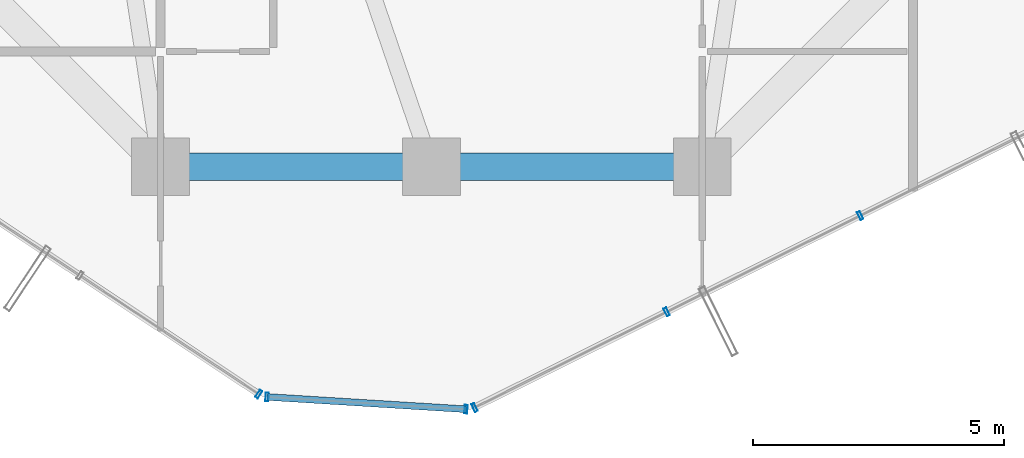
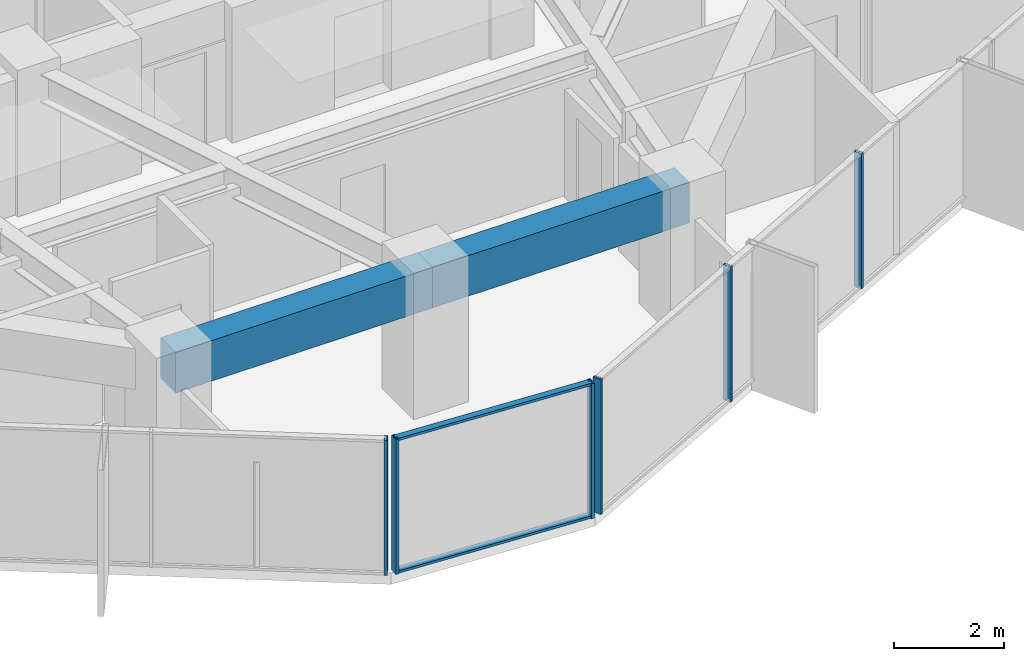
# One storey, part 6 of 30: 8 members, 2 beams, 3 elements without a shape of their own.
"""IFC4 building model written with IfcOpenShell, lengths in metres."""

import ifcopenshell
import ifcopenshell.guid

model = None  # the IFC model being written
_history = None  # IfcOwnerHistory: only IFC2X3 demands one
_inside = {}  # id of a spatial element -> (the spatial element, [elements in it])
_under = {}  # id of a project, library or spatial element -> (it, [spatial elements below it])
_declared = {}  # id of a project -> (the project, [libraries it declares])
_typed = {}  # id of a type object -> (the type object, [elements of that type])
_made_of = {}  # id of a material, layer set ... -> (it, [elements and type objects made of it])


def new_model(schema):
    """Start an empty IFC model of exactly this schema.

    Asked for "IFC4X3", IfcOpenShell would pick the latest addendum, in which some entities
    have other attributes; the version numbers below select the first issue.
    IFC2X3 requires an IfcOwnerHistory on every rooted entity: one is made here for all.
    """
    global model, _history
    if schema == "IFC4X3":
        model = ifcopenshell.file(schema_version=(4, 3, 0, 0))
    else:
        model = ifcopenshell.file(schema=schema)
    _inside.clear()
    _under.clear()
    _declared.clear()
    _typed.clear()
    _made_of.clear()
    _history = None
    if model.schema == "IFC2X3":
        org = make("IfcOrganization", Name="unknown")
        user = make(
            "IfcPersonAndOrganization",
            ThePerson=make("IfcPerson", FamilyName="unknown"),
            TheOrganization=org,
        )
        app = make(
            "IfcApplication",
            ApplicationDeveloper=org,
            Version="unknown",
            ApplicationFullName="unknown",
            ApplicationIdentifier="unknown",
        )
        _history = make(
            "IfcOwnerHistory",
            OwningUser=user,
            OwningApplication=app,
            ChangeAction="ADDED",
            CreationDate=0,
        )
    return model


def make(cls, **values):
    """One entity of the class cls with the attributes given. An attribute that is None is left unset."""
    return model.create_entity(
        cls, **{name: value for name, value in values.items() if value is not None}
    )


def rooted(cls, **values):
    """An entity with a GlobalId (a new one), such as an element, a storey or a relation."""
    return make(cls, GlobalId=ifcopenshell.guid.new(), OwnerHistory=_history, **values)


def si_unit(unit_type, name, prefix=None):
    """IfcSIUnit, for example si_unit("LENGTHUNIT", "METRE", prefix="MILLI")."""
    return make("IfcSIUnit", UnitType=unit_type, Prefix=prefix, Name=name)


def assignment(units):
    """IfcUnitAssignment: the units of a project."""
    return None if units is None else make("IfcUnitAssignment", Units=units)


def point(xyz):
    """IfcCartesianPoint."""
    return None if xyz is None else make("IfcCartesianPoint", Coordinates=xyz)


def direction(xyz):
    """IfcDirection."""
    return None if xyz is None else make("IfcDirection", DirectionRatios=xyz)


def frame(location, z_axis=None, x_axis=None):
    """IfcAxis2Placement3D, a coordinate frame: its origin and axes. An axis left out is left unset."""
    return make(
        "IfcAxis2Placement3D",
        Location=point(location),
        Axis=direction(z_axis),
        RefDirection=direction(x_axis),
    )


def frame_2d(location, x_axis=None):
    """IfcAxis2Placement2D, a coordinate frame in the plane: its origin and x axis."""
    return make(
        "IfcAxis2Placement2D", Location=point(location), RefDirection=direction(x_axis)
    )


def origin():
    """The frame at (0, 0, 0) with its axes left unset."""
    return frame((0.0, 0.0, 0.0))


def origin_2d():
    """The frame at (0, 0) in the plane with its x axis left unset."""
    return frame_2d((0.0, 0.0))


def place(relative_to, where):
    """IfcLocalPlacement: puts the frame where relative to a parent placement (None: the world)."""
    return make(
        "IfcLocalPlacement", PlacementRelTo=relative_to, RelativePlacement=where
    )


def context(
    kind, dimensions, precision=None, world=None, true_north=None, identifier=None
):
    """IfcGeometricRepresentationContext, for example the 3D "Model" context."""
    return make(
        "IfcGeometricRepresentationContext",
        ContextIdentifier=identifier,
        ContextType=kind,
        CoordinateSpaceDimension=dimensions,
        Precision=precision,
        WorldCoordinateSystem=world,
        TrueNorth=true_north,
    )


def subcontext(parent, identifier, kind, view, scale=None):
    """IfcGeometricRepresentationSubContext, for example "Body" below "Model"."""
    return make(
        "IfcGeometricRepresentationSubContext",
        ContextIdentifier=identifier,
        ContextType=kind,
        ParentContext=parent,
        TargetScale=scale,
        TargetView=view,
    )


def project(units=None, contexts=None):
    """IfcProject with its units and contexts."""
    return rooted(
        "IfcProject",
        Name="project",
        RepresentationContexts=contexts,
        UnitsInContext=assignment(units),
    )


def spatial(cls, under=None, at=None, **own):
    """A site, building, storey or space (cls), placed at a placement, below another one or the project."""
    s = rooted(cls, ObjectPlacement=at, **own)
    if under is not None:
        _under.setdefault(under.id(), (under, []))[1].append(s)
    return s


def profile(cls, at=None, kind="AREA", **sizes):
    """A parametric profile (cls). Its sizes go by their IFC names, for example OverallWidth=200.0."""
    return make(cls, ProfileType=kind, Position=at, **sizes)


def rectangle(**sizes):
    """IfcRectangleProfileDef."""
    return profile("IfcRectangleProfileDef", **sizes)


def hollow_rectangle(**sizes):
    """IfcRectangleHollowProfileDef."""
    return profile("IfcRectangleHollowProfileDef", **sizes)


def extrude(swept, where, along, depth):
    """IfcExtrudedAreaSolid: the profile swept, set in the frame where, extruded along a direction by depth."""
    return make(
        "IfcExtrudedAreaSolid",
        SweptArea=swept,
        Position=where,
        ExtrudedDirection=direction(along),
        Depth=depth,
    )


def shape(context_of_items, identifier, shape_type, items):
    """IfcShapeRepresentation: the items that make up one representation, for example the "Body"."""
    return make(
        "IfcShapeRepresentation",
        ContextOfItems=context_of_items,
        RepresentationIdentifier=identifier,
        RepresentationType=shape_type,
        Items=items,
    )


def source(mapping_origin, context_of_items, identifier, shape_type, items):
    """IfcRepresentationMap: a shape defined once, which mapped items show again and again."""
    return make(
        "IfcRepresentationMap",
        MappingOrigin=mapping_origin,
        MappedRepresentation=shape(context_of_items, identifier, shape_type, items),
    )


def transform(
    local_origin,
    x_axis=None,
    y_axis=None,
    z_axis=None,
    scale=None,
    scale2=None,
    scale3=None,
    uniform=True,
):
    """IfcCartesianTransformationOperator3D, or its non-uniform kind. x_axis, y_axis, z_axis: its Axis1, 2, 3."""
    if uniform:
        return make(
            "IfcCartesianTransformationOperator3D",
            Axis1=direction(x_axis),
            Axis2=direction(y_axis),
            LocalOrigin=point(local_origin),
            Scale=scale,
            Axis3=direction(z_axis),
        )
    return make(
        "IfcCartesianTransformationOperator3DnonUniform",
        Axis1=direction(x_axis),
        Axis2=direction(y_axis),
        LocalOrigin=point(local_origin),
        Scale=scale,
        Axis3=direction(z_axis),
        Scale2=scale2,
        Scale3=scale3,
    )


def mapped(mapping_source, mapping_target):
    """IfcMappedItem: shows the shape of a source again, moved by a transform."""
    return make(
        "IfcMappedItem", MappingSource=mapping_source, MappingTarget=mapping_target
    )


def material(Name=None, Category=None):
    """IfcMaterial."""
    return make("IfcMaterial", Name=Name, Category=Category)


def layer(
    of_material, thickness, ventilated=None, Name=None, Category=None, Priority=None
):
    """IfcMaterialLayer: one layer of a wall or slab, of a material (None: an air gap)."""
    return make(
        "IfcMaterialLayer",
        Material=of_material,
        LayerThickness=thickness,
        IsVentilated=ventilated,
        Name=Name,
        Category=Category,
        Priority=Priority,
    )


def layer_set(layers, Name=None):
    """IfcMaterialLayerSet."""
    return make("IfcMaterialLayerSet", MaterialLayers=layers, LayerSetName=Name)


def material_profile(
    of_material, cross_section, Name=None, Category=None, Priority=None
):
    """IfcMaterialProfile: a cross section and its material."""
    return make(
        "IfcMaterialProfile",
        Name=Name,
        Material=of_material,
        Profile=cross_section,
        Priority=Priority,
        Category=Category,
    )


def profile_set(profiles, Name=None, composite=None):
    """IfcMaterialProfileSet."""
    return make(
        "IfcMaterialProfileSet",
        Name=Name,
        MaterialProfiles=profiles,
        CompositeProfile=composite,
    )


def made_of(thing, what):
    """Note that an element or type object is made of a material, layer set ...; save() writes the relation."""
    if what is not None:
        _made_of.setdefault(what.id(), (what, []))[1].append(thing)
    return thing


def type_object(cls, material=None, **own):
    """A type object (cls), such as IfcWallType, which elements share."""
    return made_of(rooted(cls, **own), material)


def element(
    cls,
    number,
    at=None,
    inside=None,
    cuts=None,
    type_object=None,
    material=None,
    context=None,
    identifier="Body",
    shape_type=None,
    held_by="IfcProductDefinitionShape",
    body=None,
    shapes=None,
    **own,
):
    """One element of the class cls, such as IfcWall. Its Tag is "e" and its number.

    at: its placement. inside: the storey or other place that contains it. cuts: it is an
    opening in that element (IfcRelVoidsElement). A single representation is given by context,
    identifier, shape_type and body (its items); several are given by shapes. held_by: the class
    of the entity that holds the representations. save() writes the other relations.
    """
    e = rooted(cls, Tag="e%d" % number, ObjectPlacement=at, **own)
    if body is not None:
        shapes = [shape(context, identifier, shape_type, body)]
    if shapes is not None:
        e.Representation = make(held_by, Representations=shapes)
    if inside is not None:
        _inside.setdefault(inside.id(), (inside, []))[1].append(e)
    if cuts is not None:
        rooted(
            "IfcRelVoidsElement", RelatingBuildingElement=cuts, RelatedOpeningElement=e
        )
    if type_object is not None:
        _typed.setdefault(type_object.id(), (type_object, []))[1].append(e)
    return made_of(e, material)


def aggregate(whole, parts):
    """IfcRelAggregates: a whole, such as a stair, and the parts it consists of."""
    return rooted("IfcRelAggregates", RelatingObject=whole, RelatedObjects=parts)


def save(model, path):
    """Write the relations noted so far, then the file.

    IfcRelAggregates (storeys below a building ...), IfcRelContainedInSpatialStructure (elements
    in a storey), IfcRelDefinesByType, IfcRelAssociatesMaterial and IfcRelDeclares: one each for
    every whole, place, type object, material and project.
    """
    for whole, parts in _under.values():
        aggregate(whole, parts)
    for where, things in _inside.values():
        rooted(
            "IfcRelContainedInSpatialStructure",
            RelatedElements=things,
            RelatingStructure=where,
        )
    for kind, things in _typed.values():
        rooted("IfcRelDefinesByType", RelatedObjects=things, RelatingType=kind)
    for what, things in _made_of.values():
        rooted("IfcRelAssociatesMaterial", RelatedObjects=things, RelatingMaterial=what)
    for by, libraries in _declared.values():
        rooted("IfcRelDeclares", RelatingContext=by, RelatedDefinitions=libraries)
    model.write(path)


model = new_model("IFC4")

# Units and contexts
model_context = context("Model", 3, precision=1e-05, world=origin(), true_north=direction((0.0, 1.0)))
body_context = subcontext(model_context, "Body", "Model", "MODEL_VIEW")
ifc_project = project(units=[si_unit("LENGTHUNIT", "METRE"), si_unit("AREAUNIT", "SQUARE_METRE"), si_unit("VOLUMEUNIT", "CUBIC_METRE"), si_unit("PLANEANGLEUNIT", "RADIAN"), si_unit("MASSUNIT", "GRAM", prefix="KILO")], contexts=[model_context])

# Site, building, storey
site_placement = place(None, origin())
site = spatial("IfcSite", under=ifc_project, at=site_placement, CompositionType="ELEMENT")
building_placement = place(site_placement, origin())
building = spatial("IfcBuilding", under=site, at=building_placement, Name="Veraguas Prism Commons", CompositionType="ELEMENT")
storey_placement = place(building_placement, frame((0.0, 0.0, 116.5)))
storey = spatial("IfcBuildingStorey", under=building, at=storey_placement, Name="L32", CompositionType="ELEMENT", Elevation=116.5)

# Beams
ifc_material_1 = material(Name="Concrete C50/60", Category="concrete")
ifc_material_profile_1 = material_profile(ifc_material_1, rectangle(XDim=0.550048828125, YDim=0.89990234375, at=origin_2d()), Name="RC550X900")
ifc_profile_set_1 = profile_set([ifc_material_profile_1], Name="Concrete C50/60")
beam_type = type_object("IfcBeamType", Name="Perimeter Spandrel Lower RC 550x900", PredefinedType="SPANDREL", material=ifc_profile_set_1)
for number, where, z_axis, x_axis, name in (
    (1, (18.60009765625, 7.800048828125, 2.550048828125), (1.0, 0.0, 0.0), (0.0, 1.0, 0.0), "Perimeter Spandrel Beam L32-SP10"),
    (2, (24.0, 7.800048828125, 2.550048828125), (1.0, 0.0, 0.0), (0.0, 1.0, 0.0), "Perimeter Spandrel Beam L32-SP11"),
):
    element("IfcBeam", number, at=place(storey_placement, frame(where, z_axis=z_axis, x_axis=x_axis)), inside=storey, type_object=beam_type, Name=name, PredefinedType="SPANDREL", context=body_context, shape_type="SweptSolid", body=[
        extrude(rectangle(XDim=0.550048828125, YDim=0.89990234375, at=origin_2d()), origin(), (0.0, 0.0, 1.0), 5.39990234375),
    ])

# Curtain wall, member
ifc_material_2 = material(Name="Anodised aluminium EN AW-6063 T6", Category="aluminium")
ifc_layer = layer(ifc_material_2, 0.169921875, Name="Unitised Flush Curtain Wall Zone 2", Category="aluminium")
ifc_layer_set = layer_set([ifc_layer], Name="Anodised aluminium EN AW-6063 T6")
curtain_wall_type = type_object("IfcCurtainWallType", Name="Unitised Flush Curtain Wall Zone 2", PredefinedType="NOTDEFINED", material=ifc_layer_set)
curtain_wall_1_placement = place(storey_placement, origin())
curtain_wall_1 = element("IfcCurtainWall", 3, at=curtain_wall_1_placement, inside=storey, type_object=curtain_wall_type, Name="Tower Facade Curtain Wall L32-F4", PredefinedType="NOTDEFINED")
ifc_material_profile_2 = material_profile(ifc_material_2, hollow_rectangle(XDim=0.06005859375, YDim=0.169921875, WallThickness=0.00390625, at=origin_2d()), Name="AL60X170X4")
ifc_profile_set_2 = profile_set([ifc_material_profile_2], Name="Anodised aluminium EN AW-6063 T6")
member_type_1 = type_object("IfcMemberType", Name="Curtain Wall Mullion Lower AL 60x170x4", PredefinedType="MULLION", material=ifc_profile_set_2)
shared_shape_1 = source(origin(), body_context, "Body", "SweptSolid", [
    extrude(hollow_rectangle(XDim=0.06005859375, YDim=0.169921875, WallThickness=0.00390625, at=origin_2d()), origin(), (0.0, 0.0, 1.0), 3.0),
])
member_1_placement = place(storey_placement, frame((20.558837890625, 3.266845703125, 0.0), z_axis=(0.0, 0.0, 1.0), x_axis=(0.833504151469, -0.552513193945, 0.0)))
member_1 = element("IfcMember", 4, at=member_1_placement, type_object=member_type_1, Name="CW-Z2 Mullion 5", PredefinedType="MULLION", context=body_context, shape_type="MappedRepresentation", body=[
    mapped(shared_shape_1, transform((0.0, 0.0, 0.0), scale=1.0)),
])
aggregate(curtain_wall_1, [member_1])

# Curtain wall, members
curtain_wall_2_placement = place(storey_placement, origin())
curtain_wall_2 = element("IfcCurtainWall", 5, at=curtain_wall_2_placement, inside=storey, type_object=curtain_wall_type, Name="Tower Facade Curtain Wall L32-F5", PredefinedType="NOTDEFINED")
member_2_placement = place(storey_placement, frame((24.859619140625, 3.000732421875, 0.0), z_axis=(0.0, 0.0, 1.0), x_axis=(0.895244870652, 0.445574484875, 0.0)))
member_2 = element("IfcMember", 6, at=member_2_placement, type_object=member_type_1, Name="CW-Z2 Mullion 1", PredefinedType="MULLION", context=body_context, shape_type="MappedRepresentation", body=[
    mapped(shared_shape_1, transform((0.0, 0.0, 0.0), scale=1.0)),
])
member_3_placement = place(storey_placement, frame((28.68994140625, 4.9072265625, 0.0), z_axis=(0.0, 0.0, 1.0), x_axis=(0.895244870652, 0.445574484875, 0.0)))
member_3 = element("IfcMember", 7, at=member_3_placement, type_object=member_type_1, Name="CW-Z2 Mullion 2", PredefinedType="MULLION", context=body_context, shape_type="MappedRepresentation", body=[
    mapped(shared_shape_1, transform((0.0, 0.0, 0.0), scale=1.0)),
])
member_4_placement = place(storey_placement, frame((32.547119140625, 6.826904296875, 0.0), z_axis=(0.0, 0.0, 1.0), x_axis=(0.895244870652, 0.445574484875, 0.0)))
member_4 = element("IfcMember", 8, at=member_4_placement, type_object=member_type_1, Name="CW-Z2 Mullion 3", PredefinedType="MULLION", context=body_context, shape_type="MappedRepresentation", body=[
    mapped(shared_shape_1, transform((0.0, 0.0, 0.0), scale=1.0)),
])
aggregate(curtain_wall_2, [member_2, member_3, member_4])

curtain_wall_3_placement = place(storey_placement, origin())
curtain_wall_3 = element("IfcCurtainWall", 9, at=curtain_wall_3_placement, inside=storey, type_object=curtain_wall_type, Name="Chamfer Curtain Wall L32-C5", PredefinedType="NOTDEFINED")
member_5_placement = place(storey_placement, frame((20.7236328125, 3.21142578125, 0.0), z_axis=(0.0, 0.0, 1.0), x_axis=(0.998092366305, -0.061738386148, 0.0)))
member_5 = element("IfcMember", 10, at=member_5_placement, type_object=member_type_1, Name="CW-Z2 Mullion 1", PredefinedType="MULLION", context=body_context, shape_type="MappedRepresentation", body=[
    mapped(shared_shape_1, transform((0.0, 0.0, 0.0), scale=1.0)),
])
member_6_placement = place(storey_placement, frame((24.689208984375, 2.96630859375, 0.0), z_axis=(0.0, 0.0, 1.0), x_axis=(0.998092366305, -0.061738386148, 0.0)))
member_6 = element("IfcMember", 11, at=member_6_placement, type_object=member_type_1, Name="CW-Z2 Mullion 2", PredefinedType="MULLION", context=body_context, shape_type="MappedRepresentation", body=[
    mapped(shared_shape_1, transform((0.0, 0.0, 0.0), scale=1.0)),
])
ifc_material_profile_3 = material_profile(ifc_material_2, hollow_rectangle(XDim=0.054931640625, YDim=0.135009765625, WallThickness=0.0029296875, at=origin_2d()), Name="AL55X135X3")
ifc_profile_set_3 = profile_set([ifc_material_profile_3], Name="Anodised aluminium EN AW-6063 T6")
member_type_2 = type_object("IfcMemberType", Name="Curtain Wall Transom Standard AL 55x135x3", PredefinedType="USERDEFINED", material=ifc_profile_set_3)
shared_shape_2 = source(origin(), body_context, "Body", "SweptSolid", [
    extrude(hollow_rectangle(XDim=0.054931640625, YDim=0.135009765625, WallThickness=0.0029296875, at=origin_2d()), origin(), (0.0, 0.0, 1.0), 3.97314453125),
])
member_7_placement = place(storey_placement, frame((20.7236328125, 3.21142578125, 0.027587890625), z_axis=(0.998095141779, -0.061693500114, 0.0), x_axis=(0.0, 0.0, 1.0)))
member_7 = element("IfcMember", 12, at=member_7_placement, type_object=member_type_2, Name="CW-Z2 Transom 1", ObjectType="TRANSOM", PredefinedType="USERDEFINED", context=body_context, shape_type="MappedRepresentation", body=[
    mapped(shared_shape_2, transform((0.0, 0.0, 0.0), scale=1.0)),
])
member_8_placement = place(storey_placement, frame((20.7236328125, 3.21142578125, 2.972412109375), z_axis=(0.998095141779, -0.061693500114, 0.0), x_axis=(0.0, 0.0, 1.0)))
member_8 = element("IfcMember", 13, at=member_8_placement, type_object=member_type_2, Name="CW-Z2 Transom 2", ObjectType="TRANSOM", PredefinedType="USERDEFINED", context=body_context, shape_type="MappedRepresentation", body=[
    mapped(shared_shape_2, transform((0.0, 0.0, 0.0), scale=1.0)),
])
aggregate(curtain_wall_3, [member_5, member_6, member_7, member_8])

save(model, "model.ifc")
